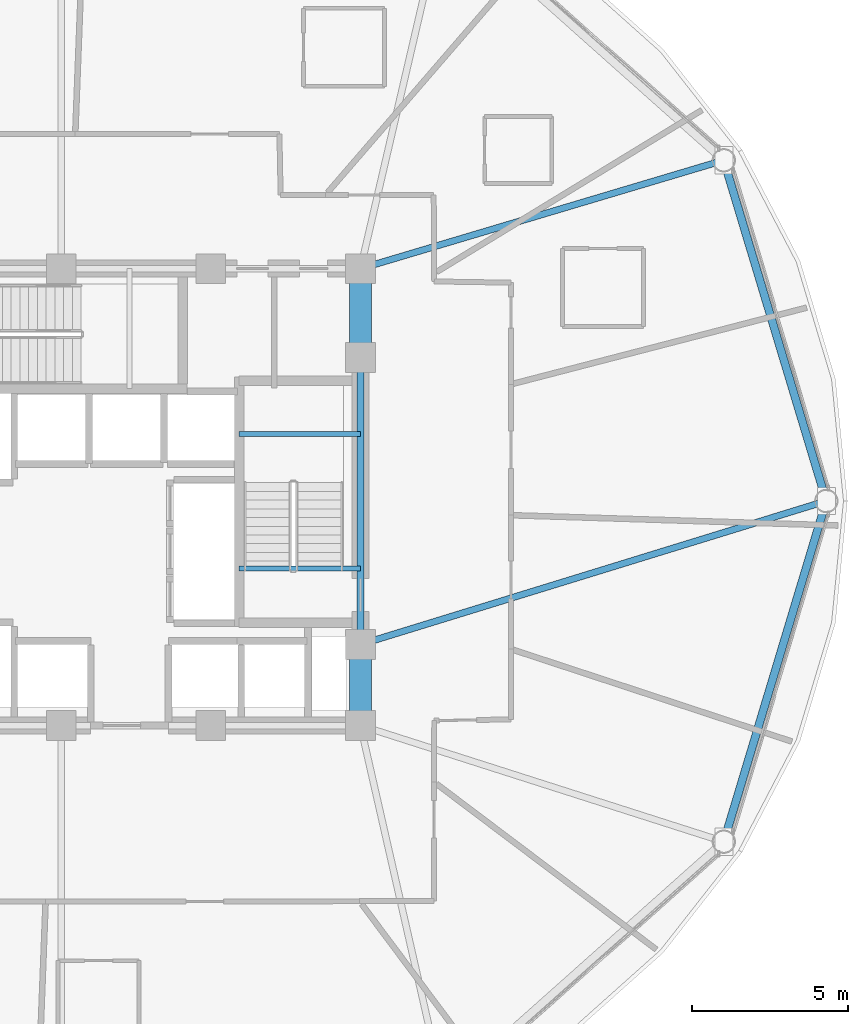
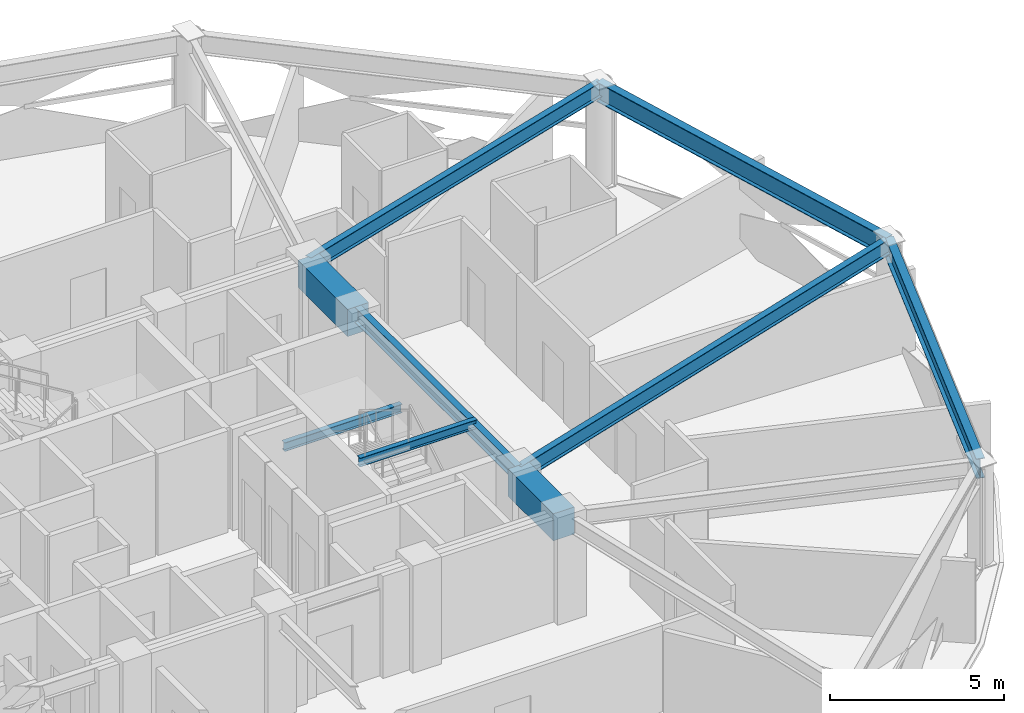
# One storey, part 12 of 29: 9 beams.
"""IFC4 building model written with IfcOpenShell, lengths in metres."""

from ifc_helpers import new_model, si_unit, direction, frame, origin, origin_2d, place, context, subcontext, project, spatial, rectangle, i_section, extrude, material, material_profile, profile_set, type_object, element, save


model = new_model("IFC4")

# Units and contexts
model_context = context("Model", 3, precision=1e-05, world=origin(), true_north=direction((0.0, 1.0)))
body_context = subcontext(model_context, "Body", "Model", "MODEL_VIEW")
ifc_project = project(units=[si_unit("LENGTHUNIT", "METRE"), si_unit("AREAUNIT", "SQUARE_METRE"), si_unit("VOLUMEUNIT", "CUBIC_METRE"), si_unit("PLANEANGLEUNIT", "RADIAN"), si_unit("MASSUNIT", "GRAM", prefix="KILO")], contexts=[model_context])

# Site, building, storey
site_placement = place(None, origin())
site = spatial("IfcSite", under=ifc_project, at=site_placement, CompositionType="ELEMENT")
building_placement = place(site_placement, origin())
building = spatial("IfcBuilding", under=site, at=building_placement, Name="Vantalir Tower", CompositionType="ELEMENT")
storey_placement = place(building_placement, frame((0.0, 0.0, 168.449951171875)))
storey = spatial("IfcBuildingStorey", under=building, at=storey_placement, Name="L42", CompositionType="ELEMENT", Elevation=168.449951171875)

# Beams
ifc_material_1 = material(Name="Concrete C60/75", Category="concrete")
ifc_material_profile_1 = material_profile(ifc_material_1, rectangle(XDim=0.699951171875, YDim=0.949951171875, at=origin_2d()), Name="Concrete C60/75")
ifc_profile_set_1 = profile_set([ifc_material_profile_1], Name="Concrete C60/75")
beam_type_1 = type_object("IfcBeamType", Name="BM-CB-700x950", PredefinedType="USERDEFINED", material=ifc_profile_set_1)
beam_1_placement = place(storey_placement, frame((41.10009765625, 17.800048828125, 3.094970703125), z_axis=(0.0, 1.0, 0.0), x_axis=(-1.0, 0.0, 0.0)))
element("IfcBeam", 1, at=beam_1_placement, inside=storey, type_object=beam_type_1, Name="L42 Core Coupling Girder 05", ObjectType="GIRDER", PredefinedType="USERDEFINED", context=body_context, shape_type="SweptSolid", body=[
    extrude(rectangle(XDim=0.699951171875, YDim=0.949951171875, at=origin_2d()), origin(), (0.0, 0.0, 1.0), 2.599853515625),
])
beam_2_placement = place(storey_placement, frame((41.10009765625, 29.60009765625, 3.094970703125), z_axis=(0.0, 1.0, 0.0), x_axis=(-1.0, 0.0, 0.0)))
element("IfcBeam", 2, at=beam_2_placement, inside=storey, type_object=beam_type_1, Name="L42 Core Coupling Girder 07", ObjectType="GIRDER", PredefinedType="USERDEFINED", context=body_context, shape_type="SweptSolid", body=[
    extrude(rectangle(XDim=0.699951171875, YDim=0.949951171875, at=origin_2d()), origin(), (0.0, 0.0, 1.0), 2.849853515625),
])
ifc_material_2 = material(Name="Steel S355", Category="steel")
ifc_material_profile_2 = material_profile(ifc_material_2, i_section(OverallWidth=0.166015625, OverallDepth=0.306884765625, WebThickness=0.006591796875, FlangeThickness=0.01171875, at=origin_2d()), Name="Steel S355")
ifc_profile_set_2 = profile_set([ifc_material_profile_2], Name="Steel S355")
beam_type_2 = type_object("IfcBeamType", Name="BM-JS-305x165", PredefinedType="JOIST", material=ifc_profile_set_2)
for number, where, z_axis, x_axis, name in (
    (3, (37.2099609375, 22.8349609375, 3.595947265625), (1.0, 0.0, 0.0), (0.0, 1.0, 0.0), "L43 Stair ST2 Well Nosing Trimmer Beam"),
    (4, (37.2099609375, 27.14501953125, 1.52197265625), (1.0, 0.0, 0.0), (0.0, 1.0, 0.0), "L42 Stair ST2 Half-Landing Support Beam"),
):
    element("IfcBeam", number, at=place(storey_placement, frame(where, z_axis=z_axis, x_axis=x_axis)), inside=storey, type_object=beam_type_2, Name=name, PredefinedType="JOIST", context=body_context, shape_type="SweptSolid", body=[
        extrude(i_section(OverallWidth=0.166015625, OverallDepth=0.306884765625, WebThickness=0.006591796875, FlangeThickness=0.01171875, at=origin_2d()), origin(), (0.0, 0.0, 1.0), 3.89013671875),
    ])
ifc_material_profile_3 = material_profile(ifc_material_2, i_section(OverallWidth=0.2109375, OverallDepth=0.5390625, WebThickness=0.01171875, FlangeThickness=0.018798828125, at=origin_2d()), Name="Steel S355")
ifc_profile_set_3 = profile_set([ifc_material_profile_3], Name="Steel S355")
beam_type_3 = type_object("IfcBeamType", Name="BM-RB-533x210", PredefinedType="BEAM", material=ifc_profile_set_3)
beam_3_placement = place(storey_placement, frame((41.10009765625, 20.39990234375, 3.301025390625), z_axis=(0.0, 1.0, 0.0), x_axis=(-1.0, 0.0, 0.0)))
element("IfcBeam", 5, at=beam_3_placement, inside=storey, type_object=beam_type_3, Name="L42 Core Coupling Girder 06", PredefinedType="BEAM", context=body_context, shape_type="SweptSolid", body=[
    extrude(i_section(OverallWidth=0.2109375, OverallDepth=0.5390625, WebThickness=0.01171875, FlangeThickness=0.018798828125, at=origin_2d()), origin(), (0.0, 0.0, 1.0), 9.2001953125),
])
beam_4_placement = place(storey_placement, frame((56.035888671875, 25.0, 3.301025390625), z_axis=(-0.955698583761, -0.294347102918, 0.0), x_axis=(0.294347102918, -0.955698583761, 0.0)))
element("IfcBeam", 6, at=beam_4_placement, inside=storey, type_object=beam_type_3, Name="L42 Radial Floor Beam 01", PredefinedType="BEAM", context=body_context, shape_type="SweptSolid", body=[
    extrude(i_section(OverallWidth=0.2109375, OverallDepth=0.5390625, WebThickness=0.01171875, FlangeThickness=0.018798828125, at=origin_2d()), origin(), (0.0, 0.0, 1.0), 15.628173828125),
])
beam_5_placement = place(storey_placement, frame((52.7490234375, 35.924072265625, 3.301025390625), z_axis=(-0.958290462824, -0.285796061659, 0.0), x_axis=(0.285796061659, -0.958290462824, 0.0)))
element("IfcBeam", 7, at=beam_5_placement, inside=storey, type_object=beam_type_3, Name="L42 Radial Floor Beam 02", PredefinedType="BEAM", context=body_context, shape_type="SweptSolid", body=[
    extrude(i_section(OverallWidth=0.2109375, OverallDepth=0.5390625, WebThickness=0.01171875, FlangeThickness=0.018798828125, at=origin_2d()), origin(), (0.0, 0.0, 1.0), 12.156005859375),
])
ifc_material_3 = material(Name="Steel S460", Category="steel")
ifc_material_profile_4 = material_profile(ifc_material_3, i_section(OverallWidth=0.256103515625, OverallDepth=0.693115234375, WebThickness=0.014404296875, FlangeThickness=0.023681640625, at=origin_2d()), Name="Steel S460")
ifc_profile_set_4 = profile_set([ifc_material_profile_4], Name="Steel S460")
beam_type_4 = type_object("IfcBeamType", Name="BM-RG-686x254", PredefinedType="USERDEFINED", material=ifc_profile_set_4)
for number, where, z_axis, x_axis, name in (
    (8, (56.035888671875, 25.0, 3.22412109375), (-0.288123336704, 0.957593307645, 0.0), (-0.957593307645, -0.288123336704, 0.0), "L42 Circumferential Ring Girder 01"),
    (9, (52.7490234375, 14.075927734375, 3.22412109375), (0.288123336704, 0.957593307645, 0.0), (-0.957593307645, 0.288123336704, 0.0), "L42 Circumferential Ring Girder 12"),
):
    element("IfcBeam", number, at=place(storey_placement, frame(where, z_axis=z_axis, x_axis=x_axis)), inside=storey, type_object=beam_type_4, Name=name, ObjectType="GIRDER", PredefinedType="USERDEFINED", context=body_context, shape_type="SweptSolid", body=[
        extrude(i_section(OverallWidth=0.256103515625, OverallDepth=0.693115234375, WebThickness=0.014404296875, FlangeThickness=0.023681640625, at=origin_2d()), origin(), (0.0, 0.0, 1.0), 11.407958984375),
    ])

save(model, "model.ifc")
